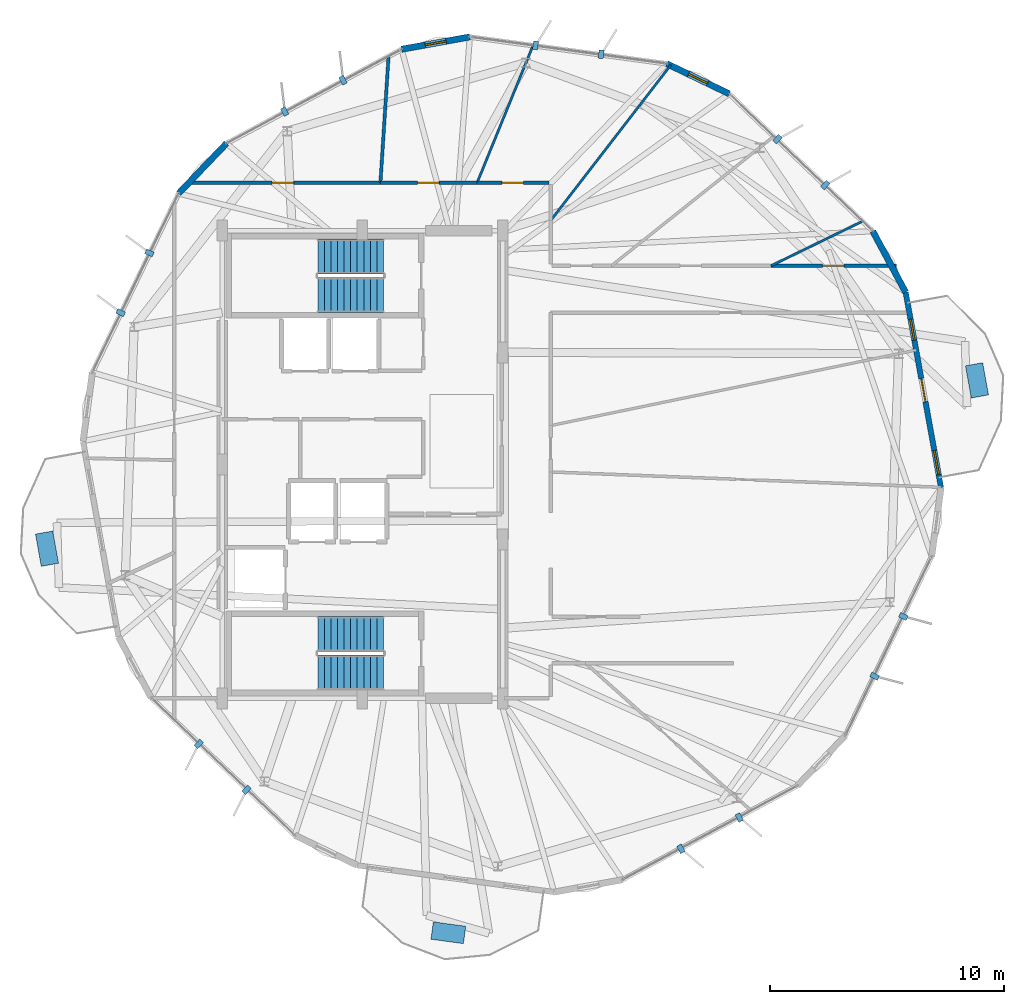
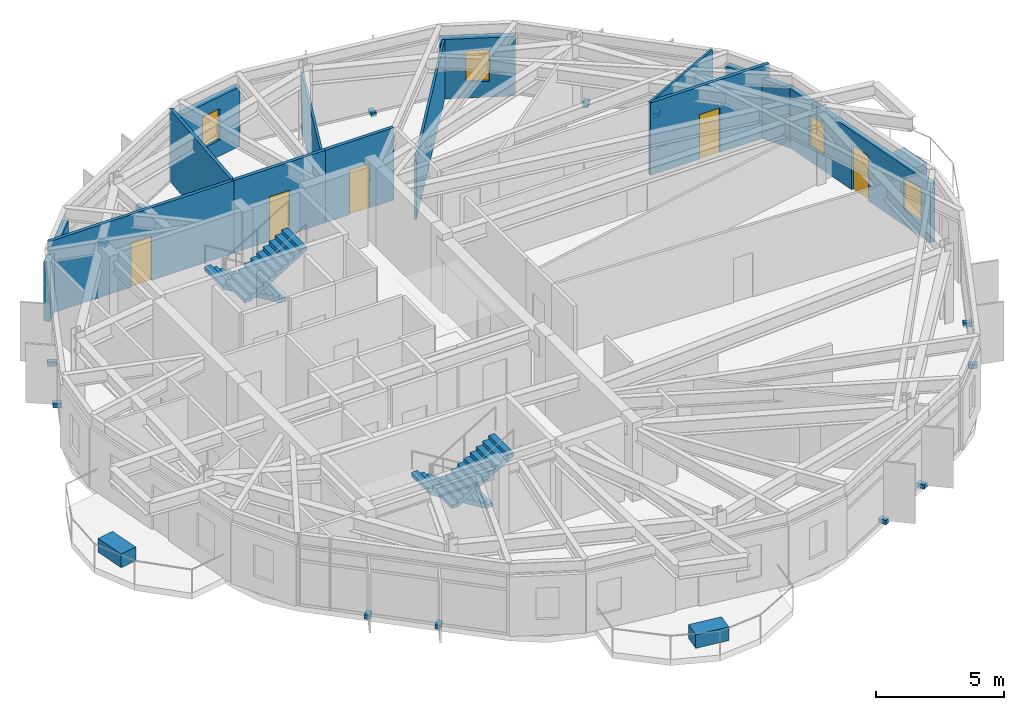
# One storey, part 23 of 26: 17 discrete accessories, 13 walls, 5 doors, 4 stair flights, 4 windows, 9 openings, 2 elements without a shape of their own.
"""IFC4 building model written with IfcOpenShell, lengths in metres."""

from ifc_helpers import new_model, si_unit, direction, frame, frame_2d, origin, origin_2d, place, context, subcontext, project, spatial, polyline, rectangle, outline, extrude, material, layer, layer_set, type_object, element, fill, aggregate, save


model = new_model("IFC4")

# Units and contexts
model_context = context("Model", 3, precision=1e-05, world=origin(), true_north=direction((0.0, 1.0)))
body_context = subcontext(model_context, "Body", "Model", "MODEL_VIEW")
ifc_project = project(units=[si_unit("LENGTHUNIT", "METRE"), si_unit("AREAUNIT", "SQUARE_METRE"), si_unit("VOLUMEUNIT", "CUBIC_METRE"), si_unit("PLANEANGLEUNIT", "RADIAN"), si_unit("MASSUNIT", "GRAM", prefix="KILO")], contexts=[model_context])

# Site, building, storey
site_placement = place(None, origin())
site = spatial("IfcSite", under=ifc_project, at=site_placement, CompositionType="ELEMENT")
building_placement = place(site_placement, origin())
building = spatial("IfcBuilding", under=site, at=building_placement, Name="Soratama Intermodal Tower", CompositionType="ELEMENT")
storey_placement = place(building_placement, frame((0.0, 0.0, 268.75)))
storey = spatial("IfcBuildingStorey", under=building, at=storey_placement, Name="L68", CompositionType="ELEMENT", Elevation=268.75)

# Wall, openings, door, windows
ifc_material_1 = material(Name="Concrete f'c 42 MPa", Category="concrete")
ifc_layer_1 = layer(ifc_material_1, 0.22998046875)
ifc_layer_set_1 = layer_set([ifc_layer_1], Name="Concrete f'c 42 MPa")
wall_type_1 = type_object("IfcWallType", Name="EW-BAL-230", PredefinedType="SOLIDWALL", material=ifc_layer_set_1)
wall_1_placement = place(storey_placement, frame((63.350830078125, 24.002685546875, 0.0), z_axis=(0.0, 0.0, 1.0), x_axis=(-0.178109410328, 0.984010689958, 0.0)))
wall_1 = element("IfcWall", 1, at=wall_1_placement, inside=storey, type_object=wall_type_1, Name="L68 Terrace Wall F09", PredefinedType="SOLIDWALL", context=body_context, shape_type="SweptSolid", body=[
    extrude(rectangle(XDim=8.5, YDim=0.22998046875, at=frame_2d((4.25, 0.0))), origin(), (0.0, 0.0, 1.0), 2.8291015625),
])
opening_1_placement = place(wall_1_placement, frame((3.75, 0.0, 0.0)))
opening_1 = element("IfcOpeningElement", 2, at=opening_1_placement, cuts=wall_1, Name="Opening ED-2", PredefinedType="OPENING", context=body_context, shape_type="SweptSolid", body=[
    extrude(rectangle(XDim=1.0, YDim=2.14990234375, at=frame_2d((0.5, 1.074951171875))), frame((0.0, 0.125, 0.0), z_axis=(0.0, -1.0, 0.0), x_axis=(1.0, 0.0, 0.0)), (0.0, 0.0, 1.0), 0.25),
])
opening_2_placement = place(wall_1_placement, frame((0.574951171875, 0.0, 0.719970703125)))
opening_2 = element("IfcOpeningElement", 3, at=opening_2_placement, cuts=wall_1, Name="Opening WN-5", PredefinedType="OPENING", context=body_context, shape_type="SweptSolid", body=[
    extrude(rectangle(XDim=1.050048828125, YDim=1.550048828125, at=frame_2d((0.52490234375, 0.77490234375))), frame((0.0, 0.125, 0.0), z_axis=(0.0, -1.0, 0.0), x_axis=(1.0, 0.0, 0.0)), (0.0, 0.0, 1.0), 0.25),
])
opening_3_placement = place(wall_1_placement, frame((6.42236328125, 0.0, 0.719970703125)))
opening_3 = element("IfcOpeningElement", 4, at=opening_3_placement, cuts=wall_1, Name="Opening WN-6", PredefinedType="OPENING", context=body_context, shape_type="SweptSolid", body=[
    extrude(rectangle(XDim=0.89990234375, YDim=1.5, at=frame_2d((0.449951171875, 0.75))), frame((0.0, 0.125, 0.0), z_axis=(0.0, -1.0, 0.0), x_axis=(1.0, 0.0, 0.0)), (0.0, 0.0, 1.0), 0.25),
])
ifc_material_2 = material(Name="Double-glazed aluminium door", Category="aluminium")
door_type_1 = type_object("IfcDoorType", Name="DR-BAL-1000", OperationType="NOTDEFINED", PredefinedType="DOOR", material=ifc_material_2)
door_1_placement = place(opening_1_placement, origin())
door_1 = element("IfcDoor", 5, at=door_1_placement, inside=storey, type_object=door_type_1, Name="L68 Balcony Door F09", OperationType="SINGLE_SWING_LEFT", OverallHeight=2.14990234375, OverallWidth=1.0, PredefinedType="DOOR", context=body_context, shape_type="SweptSolid", body=[
    extrude(rectangle(XDim=1.0, YDim=2.14990234375, at=frame_2d((0.5, 1.074951171875))), frame((0.0, 0.02490234375, 0.0), z_axis=(0.0, -1.0, 0.0), x_axis=(1.0, 0.0, 0.0)), (0.0, 0.0, 1.0), 0.050048828125),
])
fill(opening_1, door_1)
ifc_material_3 = material(Name="Double-glazed aluminium window", Category="aluminium")
window_type_1 = type_object("IfcWindowType", Name="WN-FAC-1050", PartitioningType="SINGLE_PANEL", PredefinedType="WINDOW", material=ifc_material_3)
window_1_placement = place(opening_2_placement, origin())
window_1 = element("IfcWindow", 6, at=window_1_placement, inside=storey, type_object=window_type_1, Name="L68 Window A F09", OverallHeight=1.550048828125, OverallWidth=1.050048828125, PartitioningType="SINGLE_PANEL", PredefinedType="WINDOW", context=body_context, shape_type="SweptSolid", body=[
    extrude(rectangle(XDim=1.050048828125, YDim=1.550048828125, at=frame_2d((0.52490234375, 0.77490234375))), frame((0.0, 0.030029296875, 0.0), z_axis=(0.0, -1.0, 0.0), x_axis=(1.0, 0.0, 0.0)), (0.0, 0.0, 1.0), 0.06005859375),
])
fill(opening_2, window_1)
ifc_material_4 = material(Name="Double-glazed aluminium window", Category="aluminium")
window_type_2 = type_object("IfcWindowType", Name="WN-FAC-900", PartitioningType="SINGLE_PANEL", PredefinedType="WINDOW", material=ifc_material_4)
window_2_placement = place(opening_3_placement, origin())
window_2 = element("IfcWindow", 7, at=window_2_placement, inside=storey, type_object=window_type_2, Name="L68 Window B F09", OverallHeight=1.5, OverallWidth=0.89990234375, PartitioningType="SINGLE_PANEL", PredefinedType="WINDOW", context=body_context, shape_type="SweptSolid", body=[
    extrude(rectangle(XDim=0.89990234375, YDim=1.5, at=frame_2d((0.449951171875, 0.75))), frame((0.0, 0.030029296875, 0.0), z_axis=(0.0, -1.0, 0.0), x_axis=(1.0, 0.0, 0.0)), (0.0, 0.0, 1.0), 0.06005859375),
])
fill(opening_3, window_2)

# Wall, opening, window
ifc_material_5 = material(Name="Concrete f'c 42 MPa", Category="concrete")
ifc_layer_2 = layer(ifc_material_5, 0.27001953125)
ifc_layer_set_2 = layer_set([ifc_layer_2], Name="Concrete f'c 42 MPa")
wall_type_2 = type_object("IfcWallType", Name="EW-CRN-270", PredefinedType="SOLIDWALL", material=ifc_layer_set_2)
wall_2_placement = place(storey_placement, frame((43.19677734375, 43.289306640625, 0.0), z_axis=(0.0, 0.0, 1.0), x_axis=(-0.984014428721, -0.178088753346, 0.0)))
wall_2 = element("IfcWall", 8, at=wall_2_placement, inside=storey, type_object=wall_type_2, Name="L68 Corner Closure Wall 01", PredefinedType="SOLIDWALL", context=body_context, shape_type="SweptSolid", body=[
    extrude(rectangle(XDim=2.966552734375, YDim=0.27001953125, at=frame_2d((1.4833984375, 0.0))), origin(), (0.0, 0.0, 1.0), 2.8291015625),
])
opening_4_placement = place(wall_2_placement, frame((1.033203125, 0.0, 0.75)))
opening_4 = element("IfcOpeningElement", 9, at=opening_4_placement, cuts=wall_2, Name="Opening WN-6", PredefinedType="OPENING", context=body_context, shape_type="SweptSolid", body=[
    extrude(rectangle(XDim=0.89990234375, YDim=1.5, at=frame_2d((0.449951171875, 0.75))), frame((0.0, 0.14501953125, 0.0), z_axis=(0.0, -1.0, 0.0), x_axis=(1.0, 0.0, 0.0)), (0.0, 0.0, 1.0), 0.2900390625),
])
window_3_placement = place(opening_4_placement, origin())
window_3 = element("IfcWindow", 10, at=window_3_placement, inside=storey, type_object=window_type_2, Name="L68 Corner Window 01", OverallHeight=1.5, OverallWidth=0.89990234375, PartitioningType="SINGLE_PANEL", PredefinedType="WINDOW", context=body_context, shape_type="SweptSolid", body=[
    extrude(rectangle(XDim=0.89990234375, YDim=1.5, at=frame_2d((0.449951171875, 0.75))), frame((0.0, 0.030029296875, 0.0), z_axis=(0.0, -1.0, 0.0), x_axis=(1.0, 0.0, 0.0)), (0.0, 0.0, 1.0), 0.06005859375),
])
fill(opening_4, window_3)

# Walls
wall_3_placement = place(storey_placement, frame((32.791015625, 38.736572265625, 0.0), z_axis=(0.0, 0.0, 1.0), x_axis=(-0.691381456172, -0.722489918311, 0.0)))
element("IfcWall", 11, at=wall_3_placement, inside=storey, type_object=wall_type_2, Name="L68 Corner Closure Wall 02", PredefinedType="SOLIDWALL", context=body_context, shape_type="SweptSolid", body=[
    extrude(rectangle(XDim=2.966552734375, YDim=0.27001953125, at=frame_2d((1.4833984375, 0.0))), origin(), (0.0, 0.0, 1.0), 2.8291015625),
])
wall_4_placement = place(storey_placement, frame((61.8369140625, 32.36669921875, 0.0), z_axis=(0.0, 0.0, 1.0), x_axis=(-0.473486214629, 0.880801228744, 0.0)))
element("IfcWall", 12, at=wall_4_placement, inside=storey, type_object=wall_type_2, Name="L68 Corner Closure Wall 09", PredefinedType="SOLIDWALL", context=body_context, shape_type="SweptSolid", body=[
    extrude(rectangle(XDim=2.96630859375, YDim=0.27001953125, at=frame_2d((1.483154296875, 0.0))), origin(), (0.0, 0.0, 1.0), 2.8291015625),
])

# Wall, opening, window
wall_5_placement = place(storey_placement, frame((54.29150390625, 40.856201171875, 0.0), z_axis=(0.0, 0.0, 1.0), x_axis=(-0.900785927186, 0.434263414742, 0.0)))
wall_5 = element("IfcWall", 13, at=wall_5_placement, inside=storey, type_object=wall_type_2, Name="L68 Corner Closure Wall 10", PredefinedType="SOLIDWALL", context=body_context, shape_type="SweptSolid", body=[
    extrude(rectangle(XDim=2.966796875, YDim=0.27001953125, at=frame_2d((1.4833984375, 0.0))), origin(), (0.0, 0.0, 1.0), 2.8291015625),
])
opening_5_placement = place(wall_5_placement, frame((1.033203125, 0.0, 0.75)))
opening_5 = element("IfcOpeningElement", 14, at=opening_5_placement, cuts=wall_5, Name="Opening WN-6", PredefinedType="OPENING", context=body_context, shape_type="SweptSolid", body=[
    extrude(rectangle(XDim=0.89990234375, YDim=1.5, at=frame_2d((0.449951171875, 0.75))), frame((0.0, 0.14501953125, 0.0), z_axis=(0.0, -1.0, 0.0), x_axis=(1.0, 0.0, 0.0)), (0.0, 0.0, 1.0), 0.2900390625),
])
window_4_placement = place(opening_5_placement, origin())
window_4 = element("IfcWindow", 15, at=window_4_placement, inside=storey, type_object=window_type_2, Name="L68 Corner Window 10", OverallHeight=1.5, OverallWidth=0.89990234375, PartitioningType="SINGLE_PANEL", PredefinedType="WINDOW", context=body_context, shape_type="SweptSolid", body=[
    extrude(rectangle(XDim=0.89990234375, YDim=1.5, at=frame_2d((0.449951171875, 0.75))), frame((0.0, 0.030029296875, 0.0), z_axis=(0.0, -1.0, 0.0), x_axis=(1.0, 0.0, 0.0)), (0.0, 0.0, 1.0), 0.06005859375),
])
fill(opening_5, window_4)

# Wall, opening, door
ifc_material_6 = material(Name="Fire-rated gypsum stud partition", Category="concrete")
ifc_layer_3 = layer(ifc_material_6, 0.14990234375)
ifc_layer_set_3 = layer_set([ifc_layer_3], Name="Fire-rated gypsum stud partition")
wall_type_3 = type_object("IfcWallType", Name="IW-PART-R150", PredefinedType="PARTITIONING", material=ifc_layer_set_3)
wall_6_placement = place(storey_placement, frame((31.056884765625, 37.050048828125, 0.0), z_axis=(0.0, 0.0, 1.0), x_axis=(1.0, 0.0, 0.0)))
wall_6 = element("IfcWall", 16, at=wall_6_placement, inside=storey, type_object=wall_type_3, Name="L68 Partition W-L68-TP008", PredefinedType="PARTITIONING", context=body_context, shape_type="SweptSolid", body=[
    extrude(rectangle(XDim=8.316162109375, YDim=0.14990234375, at=frame_2d((4.158203125, 0.0))), origin(), (0.0, 0.0, 1.0), 3.449951171875),
])
opening_6_placement = place(wall_6_placement, frame((3.68310546875, 0.0, 0.0)))
opening_6 = element("IfcOpeningElement", 17, at=opening_6_placement, cuts=wall_6, Name="Opening ID-6", PredefinedType="OPENING", context=body_context, shape_type="SweptSolid", body=[
    extrude(rectangle(XDim=0.919921875, YDim=2.1201171875, at=frame_2d((0.4599609375, 1.06005859375))), frame((0.0, 0.0849609375, 0.0), z_axis=(0.0, -1.0, 0.0), x_axis=(1.0, 0.0, 0.0)), (0.0, 0.0, 1.0), 0.169921875),
])
ifc_material_7 = material(Name="Solid hardwood acoustic door", Category="wood")
door_type_2 = type_object("IfcDoorType", Name="DR-ROOM-920", OperationType="NOTDEFINED", PredefinedType="DOOR", material=ifc_material_7)
door_2_placement = place(opening_6_placement, origin())
door_2 = element("IfcDoor", 18, at=door_2_placement, inside=storey, type_object=door_type_2, Name="L68 Door D-L68-TP003", OperationType="SINGLE_SWING_RIGHT", OverallHeight=2.1201171875, OverallWidth=0.919921875, PredefinedType="DOOR", context=body_context, shape_type="SweptSolid", body=[
    extrude(rectangle(XDim=0.919921875, YDim=2.1201171875, at=frame_2d((0.4599609375, 1.06005859375))), frame((0.0, 0.02490234375, 0.0), z_axis=(0.0, -1.0, 0.0), x_axis=(1.0, 0.0, 0.0)), (0.0, 0.0, 1.0), 0.050048828125),
])
fill(opening_6, door_2)

wall_7_placement = place(storey_placement, frame((56.075927734375, 33.5, 0.0), z_axis=(0.0, 0.0, 1.0), x_axis=(1.0, 0.0, 0.0)))
wall_7 = element("IfcWall", 19, at=wall_7_placement, inside=storey, type_object=wall_type_3, Name="L68 Partition W-L68-TP014", PredefinedType="PARTITIONING", context=body_context, shape_type="SweptSolid", body=[
    extrude(rectangle(XDim=5.364990234375, YDim=0.14990234375, at=frame_2d((2.6826171875, 0.0))), origin(), (0.0, 0.0, 1.0), 3.449951171875),
])
opening_7_placement = place(wall_7_placement, frame((2.2080078125, 0.0, 0.0)))
opening_7 = element("IfcOpeningElement", 20, at=opening_7_placement, cuts=wall_7, Name="Opening ID-6", PredefinedType="OPENING", context=body_context, shape_type="SweptSolid", body=[
    extrude(rectangle(XDim=0.919921875, YDim=2.1201171875, at=frame_2d((0.4599609375, 1.06005859375))), frame((0.0, 0.0849609375, 0.0), z_axis=(0.0, -1.0, 0.0), x_axis=(1.0, 0.0, 0.0)), (0.0, 0.0, 1.0), 0.169921875),
])
door_3_placement = place(opening_7_placement, origin())
door_3 = element("IfcDoor", 21, at=door_3_placement, inside=storey, type_object=door_type_2, Name="L68 Door D-L68-TP007", OperationType="SINGLE_SWING_RIGHT", OverallHeight=2.1201171875, OverallWidth=0.919921875, PredefinedType="DOOR", context=body_context, shape_type="SweptSolid", body=[
    extrude(rectangle(XDim=0.919921875, YDim=2.1201171875, at=frame_2d((0.4599609375, 1.06005859375))), frame((0.0, 0.02490234375, 0.0), z_axis=(0.0, -1.0, 0.0), x_axis=(1.0, 0.0, 0.0)), (0.0, 0.0, 1.0), 0.050048828125),
])
fill(opening_7, door_3)

wall_8_placement = place(storey_placement, frame((39.373046875, 37.050048828125, 0.0), z_axis=(0.0, 0.0, 1.0), x_axis=(1.0, 0.0, 0.0)))
wall_8 = element("IfcWall", 22, at=wall_8_placement, inside=storey, type_object=wall_type_3, Name="L68 Partition W-L68-TP018", PredefinedType="PARTITIONING", context=body_context, shape_type="SweptSolid", body=[
    extrude(rectangle(XDim=4.135009765625, YDim=0.14990234375, at=frame_2d((2.0673828125, 0.0))), origin(), (0.0, 0.0, 1.0), 3.449951171875),
])
opening_8_placement = place(wall_8_placement, frame((1.593017578125, 0.0, 0.0)))
opening_8 = element("IfcOpeningElement", 23, at=opening_8_placement, cuts=wall_8, Name="Opening ID-6", PredefinedType="OPENING", context=body_context, shape_type="SweptSolid", body=[
    extrude(rectangle(XDim=0.919921875, YDim=2.1201171875, at=frame_2d((0.4599609375, 1.06005859375))), frame((0.0, 0.0849609375, 0.0), z_axis=(0.0, -1.0, 0.0), x_axis=(1.0, 0.0, 0.0)), (0.0, 0.0, 1.0), 0.169921875),
])
door_4_placement = place(opening_8_placement, origin())
door_4 = element("IfcDoor", 24, at=door_4_placement, inside=storey, type_object=door_type_2, Name="L68 Door D-L68-TP009", OperationType="SINGLE_SWING_RIGHT", OverallHeight=2.1201171875, OverallWidth=0.919921875, PredefinedType="DOOR", context=body_context, shape_type="SweptSolid", body=[
    extrude(rectangle(XDim=0.919921875, YDim=2.1201171875, at=frame_2d((0.4599609375, 1.06005859375))), frame((0.0, 0.02490234375, 0.0), z_axis=(0.0, -1.0, 0.0), x_axis=(1.0, 0.0, 0.0)), (0.0, 0.0, 1.0), 0.050048828125),
])
fill(opening_8, door_4)

wall_9_placement = place(storey_placement, frame((43.508056640625, 37.050048828125, 0.0), z_axis=(0.0, 0.0, 1.0), x_axis=(1.0, 0.0, 0.0)))
wall_9 = element("IfcWall", 25, at=wall_9_placement, inside=storey, type_object=wall_type_3, Name="L68 Partition W-L68-TP024", PredefinedType="PARTITIONING", context=body_context, shape_type="SweptSolid", body=[
    extrude(rectangle(XDim=3.072021484375, YDim=0.14990234375, at=frame_2d((1.5361328125, 0.0))), origin(), (0.0, 0.0, 1.0), 3.449951171875),
])
opening_9_placement = place(wall_9_placement, frame((1.06103515625, 0.0, 0.0)))
opening_9 = element("IfcOpeningElement", 26, at=opening_9_placement, cuts=wall_9, Name="Opening ID-6", PredefinedType="OPENING", context=body_context, shape_type="SweptSolid", body=[
    extrude(rectangle(XDim=0.919921875, YDim=2.1201171875, at=frame_2d((0.4599609375, 1.06005859375))), frame((0.0, 0.0849609375, 0.0), z_axis=(0.0, -1.0, 0.0), x_axis=(1.0, 0.0, 0.0)), (0.0, 0.0, 1.0), 0.169921875),
])
door_5_placement = place(opening_9_placement, origin())
door_5 = element("IfcDoor", 27, at=door_5_placement, inside=storey, type_object=door_type_2, Name="L68 Door D-L68-TP013", OperationType="SINGLE_SWING_RIGHT", OverallHeight=2.1201171875, OverallWidth=0.919921875, PredefinedType="DOOR", context=body_context, shape_type="SweptSolid", body=[
    extrude(rectangle(XDim=0.919921875, YDim=2.1201171875, at=frame_2d((0.4599609375, 1.06005859375))), frame((0.0, 0.02490234375, 0.0), z_axis=(0.0, -1.0, 0.0), x_axis=(1.0, 0.0, 0.0)), (0.0, 0.0, 1.0), 0.050048828125),
])
fill(opening_9, door_5)

# Walls
ifc_material_8 = material(Name="Fire-rated gypsum stud partition", Category="concrete")
ifc_layer_4 = layer(ifc_material_8, 0.10009765625)
ifc_layer_set_4 = layer_set([ifc_layer_4], Name="Fire-rated gypsum stud partition")
wall_type_4 = type_object("IfcWallType", Name="IW-PART-S100", PredefinedType="PARTITIONING", material=ifc_layer_set_4)
wall_10_placement = place(storey_placement, frame((46.64990234375, 35.428955078125, 0.0), z_axis=(0.0, 0.0, 1.0), x_axis=(0.611097451794, 0.791555370401, 0.0)))
element("IfcWall", 28, at=wall_10_placement, inside=storey, type_object=wall_type_4, Name="L68 Partition W-L68-TP007", PredefinedType="PARTITIONING", context=body_context, shape_type="SweptSolid", body=[
    extrude(rectangle(XDim=8.417724609375, YDim=0.10009765625, at=frame_2d((4.208984375, 0.0))), origin(), (0.0, 0.0, 1.0), 2.827880859375),
])
wall_11_placement = place(storey_placement, frame((43.508056640625, 37.050048828125, 0.0), z_axis=(0.0, 0.0, 1.0), x_axis=(0.377099948986, 0.926172569489, 0.0)))
element("IfcWall", 29, at=wall_11_placement, inside=storey, type_object=wall_type_4, Name="L68 Partition W-L68-TP012", PredefinedType="PARTITIONING", context=body_context, shape_type="SweptSolid", body=[
    extrude(rectangle(XDim=6.340087890625, YDim=0.10009765625, at=frame_2d((3.169921875, 0.0))), origin(), (0.0, 0.0, 1.0), 2.7451171875),
])
wall_12_placement = place(storey_placement, frame((56.075927734375, 33.5, 0.0), z_axis=(0.0, 0.0, 1.0), x_axis=(0.899199893794, 0.437538056632, 0.0)))
element("IfcWall", 30, at=wall_12_placement, inside=storey, type_object=wall_type_4, Name="L68 Partition W-L68-TP017", PredefinedType="PARTITIONING", context=body_context, shape_type="SweptSolid", body=[
    extrude(rectangle(XDim=4.351806640625, YDim=0.10009765625, at=frame_2d((2.17578125, 0.0))), origin(), (0.0, 0.0, 1.0), 3.449951171875),
])
ifc_material_9 = material(Name="Fire-rated gypsum stud partition", Category="concrete")
ifc_layer_5 = layer(ifc_material_9, 0.139892578125)
ifc_layer_set_5 = layer_set([ifc_layer_5], Name="Fire-rated gypsum stud partition")
wall_type_5 = type_object("IfcWallType", Name="IW-PART-S140", PredefinedType="PARTITIONING", material=ifc_layer_set_5)
wall_13_placement = place(storey_placement, frame((39.373046875, 37.050048828125, 0.0), z_axis=(0.0, 0.0, 1.0), x_axis=(0.064163859203, 0.997939376501, 0.0)))
element("IfcWall", 31, at=wall_13_placement, inside=storey, type_object=wall_type_5, Name="L68 Partition W-L68-TP013", PredefinedType="PARTITIONING", context=body_context, shape_type="SweptSolid", body=[
    extrude(rectangle(XDim=5.422119140625, YDim=0.139892578125, at=frame_2d((2.7109375, 0.0))), origin(), (0.0, 0.0, 1.0), 3.449951171875),
])

# Stair, stair flights
ifc_material_10 = material(Name="Concrete f'c 42 MPa", Category="concrete")
stair_type = type_object("IfcStairType", Name="ST-CORE-DOGLEG", PredefinedType="HALF_TURN_STAIR", material=ifc_material_10)
stair_1_placement = place(storey_placement, origin())
stair_1 = element("IfcStair", 32, at=stair_1_placement, inside=storey, type_object=stair_type, Name="L68 ST-1", PredefinedType="HALF_TURN_STAIR")
ifc_material_11 = material(Name="Precast concrete f'c 40 MPa", Category="concrete")
ifc_layer_6 = layer(ifc_material_11, 0.199951171875)
ifc_layer_set_6 = layer_set([ifc_layer_6], Name="Precast concrete f'c 40 MPa")
stair_flight_type = type_object("IfcStairFlightType", Name="SF-FLIGHT-RC", PredefinedType="STRAIGHT", material=ifc_layer_set_6)
stair_flight_1_placement = place(storey_placement, frame((39.5, 17.75, 0.0), z_axis=(0.0, 0.0, 1.0), x_axis=(-1.0, 0.0, 0.0)))
stair_flight_1 = element("IfcStairFlight", 33, at=stair_flight_1_placement, type_object=stair_flight_type, Name="ST-1 flight 1", NumberOfRisers=11, NumberOfTreads=10, PredefinedType="STRAIGHT", RiserHeight=0.170454545, TreadLength=0.28, context=body_context, shape_type="SweptSolid", body=[
    extrude(outline(polyline([(0.0, 0.0), (0.0, 0.17041015625), (0.280029296875, 0.17041015625), (0.280029296875, 0.3408203125), (0.56005859375, 0.3408203125), (0.56005859375, 0.511474609375), (0.840087890625, 0.511474609375), (0.840087890625, 0.681884765625), (1.1201171875, 0.681884765625), (1.1201171875, 0.852294921875), (1.39990234375, 0.852294921875), (1.39990234375, 1.022705078125), (1.679931640625, 1.022705078125), (1.679931640625, 1.193115234375), (1.9599609375, 1.193115234375), (1.9599609375, 1.363525390625), (2.239990234375, 1.363525390625), (2.239990234375, 1.5341796875), (2.52001953125, 1.5341796875), (2.52001953125, 1.70458984375), (2.800048828125, 1.70458984375), (2.800048828125, 1.875), (2.800048828125, 1.529052734375), (0.288330078125, 0.0), (0.0, 0.0)])), frame((0.0, 0.75, 0.0), z_axis=(0.0, -1.0, 0.0), x_axis=(1.0, 0.0, 0.0)), (0.0, 0.0, 1.0), 1.5),
])
stair_flight_2_placement = place(storey_placement, frame((36.699951171875, 16.10009765625, 1.875), z_axis=(0.0, 0.0, 1.0), x_axis=(1.0, 0.0, 0.0)))
stair_flight_2 = element("IfcStairFlight", 34, at=stair_flight_2_placement, type_object=stair_flight_type, Name="ST-1 flight 2", NumberOfRisers=11, NumberOfTreads=10, PredefinedType="STRAIGHT", RiserHeight=0.170454545, TreadLength=0.28, context=body_context, shape_type="SweptSolid", body=[
    extrude(outline(polyline([(0.0, 0.0), (0.0, 0.17041015625), (0.280029296875, 0.17041015625), (0.280029296875, 0.3408203125), (0.56005859375, 0.3408203125), (0.56005859375, 0.511474609375), (0.840087890625, 0.511474609375), (0.840087890625, 0.681884765625), (1.1201171875, 0.681884765625), (1.1201171875, 0.852294921875), (1.39990234375, 0.852294921875), (1.39990234375, 1.022705078125), (1.679931640625, 1.022705078125), (1.679931640625, 1.193115234375), (1.9599609375, 1.193115234375), (1.9599609375, 1.363525390625), (2.239990234375, 1.363525390625), (2.239990234375, 1.5341796875), (2.52001953125, 1.5341796875), (2.52001953125, 1.70458984375), (2.800048828125, 1.70458984375), (2.800048828125, 1.875), (2.800048828125, 1.529052734375), (0.288330078125, 0.0), (0.0, 0.0)])), frame((0.0, 0.75, 0.0), z_axis=(0.0, -1.0, 0.0), x_axis=(1.0, 0.0, 0.0)), (0.0, 0.0, 1.0), 1.5),
])
aggregate(stair_1, [stair_flight_1, stair_flight_2])

stair_2_placement = place(storey_placement, origin())
stair_2 = element("IfcStair", 35, at=stair_2_placement, inside=storey, type_object=stair_type, Name="L68 ST-2", PredefinedType="HALF_TURN_STAIR")
stair_flight_3_placement = place(storey_placement, frame((39.5, 33.89990234375, 0.0), z_axis=(0.0, 0.0, 1.0), x_axis=(-1.0, 0.0, 0.0)))
stair_flight_3 = element("IfcStairFlight", 36, at=stair_flight_3_placement, type_object=stair_flight_type, Name="ST-2 flight 1", NumberOfRisers=11, NumberOfTreads=10, PredefinedType="STRAIGHT", RiserHeight=0.170454545, TreadLength=0.28, context=body_context, shape_type="SweptSolid", body=[
    extrude(outline(polyline([(0.0, 0.0), (0.0, 0.17041015625), (0.280029296875, 0.17041015625), (0.280029296875, 0.3408203125), (0.56005859375, 0.3408203125), (0.56005859375, 0.511474609375), (0.840087890625, 0.511474609375), (0.840087890625, 0.681884765625), (1.1201171875, 0.681884765625), (1.1201171875, 0.852294921875), (1.39990234375, 0.852294921875), (1.39990234375, 1.022705078125), (1.679931640625, 1.022705078125), (1.679931640625, 1.193115234375), (1.9599609375, 1.193115234375), (1.9599609375, 1.363525390625), (2.239990234375, 1.363525390625), (2.239990234375, 1.5341796875), (2.52001953125, 1.5341796875), (2.52001953125, 1.70458984375), (2.800048828125, 1.70458984375), (2.800048828125, 1.875), (2.800048828125, 1.529052734375), (0.288330078125, 0.0), (0.0, 0.0)])), frame((0.0, 0.75, 0.0), z_axis=(0.0, -1.0, 0.0), x_axis=(1.0, 0.0, 0.0)), (0.0, 0.0, 1.0), 1.5),
])
stair_flight_4_placement = place(storey_placement, frame((36.699951171875, 32.25, 1.875), z_axis=(0.0, 0.0, 1.0), x_axis=(1.0, 0.0, 0.0)))
stair_flight_4 = element("IfcStairFlight", 37, at=stair_flight_4_placement, type_object=stair_flight_type, Name="ST-2 flight 2", NumberOfRisers=11, NumberOfTreads=10, PredefinedType="STRAIGHT", RiserHeight=0.170454545, TreadLength=0.28, context=body_context, shape_type="SweptSolid", body=[
    extrude(outline(polyline([(0.0, 0.0), (0.0, 0.17041015625), (0.280029296875, 0.17041015625), (0.280029296875, 0.3408203125), (0.56005859375, 0.3408203125), (0.56005859375, 0.511474609375), (0.840087890625, 0.511474609375), (0.840087890625, 0.681884765625), (1.1201171875, 0.681884765625), (1.1201171875, 0.852294921875), (1.39990234375, 0.852294921875), (1.39990234375, 1.022705078125), (1.679931640625, 1.022705078125), (1.679931640625, 1.193115234375), (1.9599609375, 1.193115234375), (1.9599609375, 1.363525390625), (2.239990234375, 1.363525390625), (2.239990234375, 1.5341796875), (2.52001953125, 1.5341796875), (2.52001953125, 1.70458984375), (2.800048828125, 1.70458984375), (2.800048828125, 1.875), (2.800048828125, 1.529052734375), (0.288330078125, 0.0), (0.0, 0.0)])), frame((0.0, 0.75, 0.0), z_axis=(0.0, -1.0, 0.0), x_axis=(1.0, 0.0, 0.0)), (0.0, 0.0, 1.0), 1.5),
])
aggregate(stair_2, [stair_flight_3, stair_flight_4])

# Discrete accessories
ifc_material_12 = material(Name="Structural steel ASTM A992 Grade 50", Category="steel")
discrete_accessory_type_1 = type_object("IfcDiscreteAccessoryType", Name="AC-FIN-BRACKET", PredefinedType="BRACKET", material=ifc_material_12)
for number, where, z_axis, x_axis, name in (
    (38, (48.814453125, 42.5458984375, -0.080078125), (0.0, 0.0, 1.0), (0.134677989497, 0.990889418222, 0.0), "L68 Fin Bracket F01-1"),
    (39, (46.007080078125, 42.927490234375, -0.080078125), (0.0, 0.0, 1.0), (0.134677989497, 0.990889418222, 0.0), "L68 Fin Bracket F01-2"),
    (40, (37.772705078125, 41.43701171875, -0.080078125), (0.0, 0.0, 1.0), (-0.473473404412, 0.880808114923, 0.0), "L68 Fin Bracket F02-1"),
    (41, (35.277099609375, 40.095703125, -0.080078125), (0.0, 0.0, 1.0), (-0.473473404412, 0.880808114923, 0.0), "L68 Fin Bracket F02-2"),
    (42, (29.491455078125, 34.0498046875, -0.080078125), (0.0, 0.0, 1.0), (-0.900774050605, 0.43428804929, 0.0), "L68 Fin Bracket F03-1"),
    (43, (28.260986328125, 31.49755859375, -0.080078125), (0.0, 0.0, 1.0), (-0.900774050605, 0.43428804929, 0.0), "L68 Fin Bracket F03-2"),
    (44, (31.600830078125, 13.047119140625, -0.080078125), (0.0, 0.0, 1.0), (-0.691386968955, -0.722484642853, 0.0), "L68 Fin Bracket F05-1"),
    (45, (33.647705078125, 11.088134765625, -0.080078125), (0.0, 0.0, 1.0), (-0.691386968955, -0.722484642853, 0.0), "L68 Fin Bracket F05-2"),
    (46, (52.227294921875, 8.56298828125, -0.080078125), (0.0, 0.0, 1.0), (0.473473404412, -0.880808114923, 0.0), "L68 Fin Bracket F07-1"),
    (47, (54.722900390625, 9.904296875, -0.080078125), (0.0, 0.0, 1.0), (0.473473404412, -0.880808114923, 0.0), "L68 Fin Bracket F07-2"),
    (48, (60.508544921875, 15.9501953125, -0.080078125), (0.0, 0.0, 1.0), (0.900774050605, -0.43428804929, 0.0), "L68 Fin Bracket F08-1"),
    (49, (61.739013671875, 18.50244140625, -0.080078125), (0.0, 0.0, 1.0), (0.900774050605, -0.43428804929, 0.0), "L68 Fin Bracket F08-2"),
    (50, (58.399169921875, 36.952880859375, -0.080078125), (0.0, 0.0, 1.0), (0.691386968955, 0.722484642853, 0.0), "L68 Fin Bracket F10-1"),
    (51, (56.352294921875, 38.911865234375, -0.080078125), (0.0, 0.0, 1.0), (0.691386968955, 0.722484642853, 0.0), "L68 Fin Bracket F10-2"),
):
    element("IfcDiscreteAccessory", number, at=place(storey_placement, frame(where, z_axis=z_axis, x_axis=x_axis)), inside=storey, type_object=discrete_accessory_type_1, Name=name, PredefinedType="BRACKET", context=body_context, shape_type="SweptSolid", body=[
        extrude(rectangle(XDim=0.360107421875, YDim=0.219970703125, at=origin_2d()), origin(), (0.0, 0.0, 1.0), 0.199951171875),
    ])
ifc_material_13 = material(Name="Precast concrete f'c 40 MPa", Category="concrete")
discrete_accessory_type_2 = type_object("IfcDiscreteAccessoryType", Name="AC-PLANTER-TREE", PredefinedType="USERDEFINED", material=ifc_material_13)
for number, where, z_axis, x_axis, name in (
    (52, (64.88671875, 28.599609375, 0.0), (0.0, 0.0, 1.0), (0.984009625651, 0.178115290264, 0.0), "L68 Tree Planter 1"),
    (53, (25.11328125, 21.400390625, 0.0), (0.0, 0.0, 1.0), (-0.984009625651, -0.178115290264, 0.0), "L68 Tree Planter 2"),
    (54, (42.2783203125, 4.974365234375, 0.0), (0.0, 0.0, 1.0), (-0.134677989497, -0.990889418222, 0.0), "L68 Tree Planter 3"),
):
    element("IfcDiscreteAccessory", number, at=place(storey_placement, frame(where, z_axis=z_axis, x_axis=x_axis)), inside=storey, type_object=discrete_accessory_type_2, Name=name, ObjectType="PLANTER", PredefinedType="USERDEFINED", context=body_context, shape_type="SweptSolid", body=[
        extrude(rectangle(XDim=0.75, YDim=1.39990234375, at=origin_2d()), origin(), (0.0, 0.0, 1.0), 0.64990234375),
    ])

save(model, "model.ifc")
